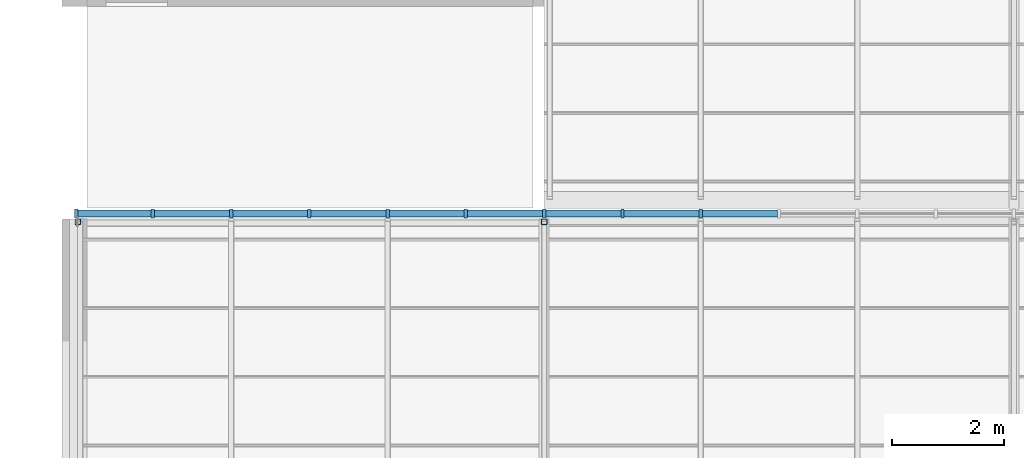
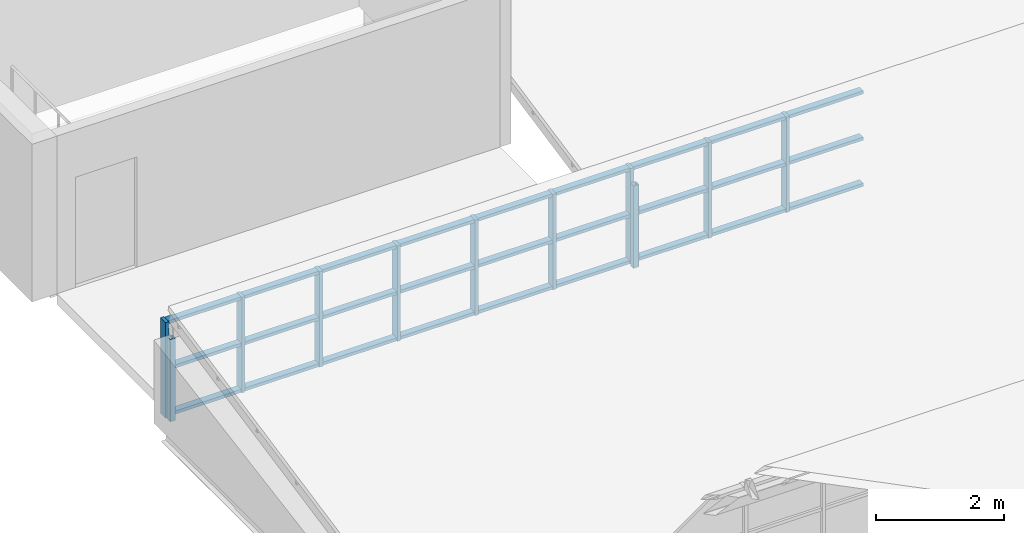
# One storey, part 29 of 121: 38 members, 1 element without a shape of its own.
"""IFC4 building model written with IfcOpenShell, lengths in metres."""

from ifc_helpers import new_model, si_unit, direction, frame, origin, origin_2d, place, context, subcontext, project, spatial, rectangle, hollow_rectangle, extrude, material, layer, layer_set, material_profile, profile_set, type_object, element, aggregate, save


model = new_model("IFC4")

# Units and contexts
model_context = context("Model", 3, precision=1e-05, world=origin(), true_north=direction((0.0, 1.0)))
body_context = subcontext(model_context, "Body", "Model", "MODEL_VIEW")
ifc_project = project(units=[si_unit("LENGTHUNIT", "METRE"), si_unit("AREAUNIT", "SQUARE_METRE"), si_unit("VOLUMEUNIT", "CUBIC_METRE"), si_unit("PLANEANGLEUNIT", "RADIAN"), si_unit("MASSUNIT", "GRAM", prefix="KILO")], contexts=[model_context])

# Site, building, storey
site_placement = place(None, origin())
site = spatial("IfcSite", under=ifc_project, at=site_placement, CompositionType="ELEMENT")
building_placement = place(site_placement, origin())
building = spatial("IfcBuilding", under=site, at=building_placement, Name="Ardhachandra Cancer Care Centre", CompositionType="ELEMENT")
storey_placement = place(building_placement, frame((0.0, 0.0, 9.0)))
storey = spatial("IfcBuildingStorey", under=building, at=storey_placement, Name="L02", CompositionType="ELEMENT", Elevation=9.0)

# Curtain wall, members
ifc_material_1 = material(Name="Aluminium extrusion", Category="aluminium")
ifc_layer = layer(ifc_material_1, 0.14990234375)
ifc_layer_set = layer_set([ifc_layer], Name="Aluminium extrusion")
curtain_wall_type = type_object("IfcCurtainWallType", Name="Curtain wall run", PredefinedType="NOTDEFINED", material=ifc_layer_set)
curtain_wall_placement = place(storey_placement, origin())
curtain_wall = element("IfcCurtainWall", 1, at=curtain_wall_placement, inside=storey, type_object=curtain_wall_type, Name="Curtain wall L02 n/0010800_0063100", PredefinedType="NOTDEFINED")
ifc_material_2 = material(Name="Aluminium extrusion", Category="aluminium")
ifc_material_profile_1 = material_profile(ifc_material_2, rectangle(XDim=0.159912109375, YDim=0.06005859375, at=origin_2d()), Name="Curtain wall mullion 60 x 160")
ifc_profile_set_1 = profile_set([ifc_material_profile_1], Name="Aluminium extrusion")
member_type_1 = type_object("IfcMemberType", Name="Curtain wall mullion 60 x 160", PredefinedType="MULLION", material=ifc_profile_set_1)
member_1_placement = place(storey_placement, frame((10.830078125, 63.10009765625, 0.0), z_axis=(0.0, 0.0, 1.0), x_axis=(0.0, 1.0, 0.0)))
member_1 = element("IfcMember", 2, at=member_1_placement, type_object=member_type_1, Name="CW mullion 1", PredefinedType="MULLION", context=body_context, shape_type="SweptSolid", body=[
    extrude(rectangle(XDim=0.159912109375, YDim=0.06005859375, at=origin_2d()), origin(), (0.0, 0.0, 1.0), 1.820068359375),
])
member_2_placement = place(storey_placement, frame((12.199951171875, 63.10009765625, 0.0), z_axis=(0.0, 0.0, 1.0), x_axis=(0.0, 1.0, 0.0)))
member_2 = element("IfcMember", 3, at=member_2_placement, type_object=member_type_1, Name="CW mullion 2", PredefinedType="MULLION", context=body_context, shape_type="SweptSolid", body=[
    extrude(rectangle(XDim=0.159912109375, YDim=0.06005859375, at=origin_2d()), origin(), (0.0, 0.0, 1.0), 1.820068359375),
])
member_3_placement = place(storey_placement, frame((13.60009765625, 63.10009765625, 0.0), z_axis=(0.0, 0.0, 1.0), x_axis=(0.0, 1.0, 0.0)))
member_3 = element("IfcMember", 4, at=member_3_placement, type_object=member_type_1, Name="CW mullion 3", PredefinedType="MULLION", context=body_context, shape_type="SweptSolid", body=[
    extrude(rectangle(XDim=0.159912109375, YDim=0.06005859375, at=origin_2d()), origin(), (0.0, 0.0, 1.0), 1.820068359375),
])
member_4_placement = place(storey_placement, frame((15.0, 63.10009765625, 0.0), z_axis=(0.0, 0.0, 1.0), x_axis=(0.0, 1.0, 0.0)))
member_4 = element("IfcMember", 5, at=member_4_placement, type_object=member_type_1, Name="CW mullion 4", PredefinedType="MULLION", context=body_context, shape_type="SweptSolid", body=[
    extrude(rectangle(XDim=0.159912109375, YDim=0.06005859375, at=origin_2d()), origin(), (0.0, 0.0, 1.0), 1.820068359375),
])
member_5_placement = place(storey_placement, frame((16.39990234375, 63.10009765625, 0.0), z_axis=(0.0, 0.0, 1.0), x_axis=(0.0, 1.0, 0.0)))
member_5 = element("IfcMember", 6, at=member_5_placement, type_object=member_type_1, Name="CW mullion 5", PredefinedType="MULLION", context=body_context, shape_type="SweptSolid", body=[
    extrude(rectangle(XDim=0.159912109375, YDim=0.06005859375, at=origin_2d()), origin(), (0.0, 0.0, 1.0), 1.820068359375),
])
member_6_placement = place(storey_placement, frame((17.800048828125, 63.10009765625, 0.0), z_axis=(0.0, 0.0, 1.0), x_axis=(0.0, 1.0, 0.0)))
member_6 = element("IfcMember", 7, at=member_6_placement, type_object=member_type_1, Name="CW mullion 6", PredefinedType="MULLION", context=body_context, shape_type="SweptSolid", body=[
    extrude(rectangle(XDim=0.159912109375, YDim=0.06005859375, at=origin_2d()), origin(), (0.0, 0.0, 1.0), 1.820068359375),
])
member_7_placement = place(storey_placement, frame((19.199951171875, 63.10009765625, 0.0), z_axis=(0.0, 0.0, 1.0), x_axis=(0.0, 1.0, 0.0)))
member_7 = element("IfcMember", 8, at=member_7_placement, type_object=member_type_1, Name="CW mullion 7", PredefinedType="MULLION", context=body_context, shape_type="SweptSolid", body=[
    extrude(rectangle(XDim=0.159912109375, YDim=0.06005859375, at=origin_2d()), origin(), (0.0, 0.0, 1.0), 1.820068359375),
])
member_8_placement = place(storey_placement, frame((20.60009765625, 63.10009765625, 0.0), z_axis=(0.0, 0.0, 1.0), x_axis=(0.0, 1.0, 0.0)))
member_8 = element("IfcMember", 9, at=member_8_placement, type_object=member_type_1, Name="CW mullion 8", PredefinedType="MULLION", context=body_context, shape_type="SweptSolid", body=[
    extrude(rectangle(XDim=0.159912109375, YDim=0.06005859375, at=origin_2d()), origin(), (0.0, 0.0, 1.0), 1.820068359375),
])
member_9_placement = place(storey_placement, frame((22.0, 63.10009765625, 0.0), z_axis=(0.0, 0.0, 1.0), x_axis=(0.0, 1.0, 0.0)))
member_9 = element("IfcMember", 10, at=member_9_placement, type_object=member_type_1, Name="CW mullion 9", PredefinedType="MULLION", context=body_context, shape_type="SweptSolid", body=[
    extrude(rectangle(XDim=0.159912109375, YDim=0.06005859375, at=origin_2d()), origin(), (0.0, 0.0, 1.0), 1.820068359375),
])
ifc_material_3 = material(Name="Aluminium extrusion", Category="aluminium")
ifc_material_profile_2 = material_profile(ifc_material_3, rectangle(XDim=0.1201171875, YDim=0.06005859375, at=origin_2d()), Name="Curtain wall transom 60 x 120")
ifc_profile_set_2 = profile_set([ifc_material_profile_2], Name="Aluminium extrusion")
member_type_2 = type_object("IfcMemberType", Name="Curtain wall transom 60 x 120", PredefinedType="USERDEFINED", material=ifc_profile_set_2)
member_10_placement = place(storey_placement, frame((10.860107421875, 63.10009765625, 0.030029296875), z_axis=(1.0, 0.0, 0.0), x_axis=(0.0, 1.0, 0.0)))
member_10 = element("IfcMember", 11, at=member_10_placement, type_object=member_type_2, Name="CW transom 1.1", ObjectType="TRANSOM", PredefinedType="USERDEFINED", context=body_context, shape_type="SweptSolid", body=[
    extrude(rectangle(XDim=0.1201171875, YDim=0.06005859375, at=origin_2d()), origin(), (0.0, 0.0, 1.0), 1.309814453125),
])
member_11_placement = place(storey_placement, frame((10.860107421875, 63.10009765625, 0.909912109375), z_axis=(1.0, 0.0, 0.0), x_axis=(0.0, 1.0, 0.0)))
member_11 = element("IfcMember", 12, at=member_11_placement, type_object=member_type_2, Name="CW transom 1.2", ObjectType="TRANSOM", PredefinedType="USERDEFINED", context=body_context, shape_type="SweptSolid", body=[
    extrude(rectangle(XDim=0.1201171875, YDim=0.06005859375, at=origin_2d()), origin(), (0.0, 0.0, 1.0), 1.309814453125),
])
member_12_placement = place(storey_placement, frame((10.860107421875, 63.10009765625, 1.7900390625), z_axis=(1.0, 0.0, 0.0), x_axis=(0.0, 1.0, 0.0)))
member_12 = element("IfcMember", 13, at=member_12_placement, type_object=member_type_2, Name="CW transom 1.3", ObjectType="TRANSOM", PredefinedType="USERDEFINED", context=body_context, shape_type="SweptSolid", body=[
    extrude(rectangle(XDim=0.1201171875, YDim=0.06005859375, at=origin_2d()), origin(), (0.0, 0.0, 1.0), 1.309814453125),
])
member_13_placement = place(storey_placement, frame((12.22998046875, 63.10009765625, 0.030029296875), z_axis=(1.0, 0.0, 0.0), x_axis=(0.0, 1.0, 0.0)))
member_13 = element("IfcMember", 14, at=member_13_placement, type_object=member_type_2, Name="CW transom 2.1", ObjectType="TRANSOM", PredefinedType="USERDEFINED", context=body_context, shape_type="SweptSolid", body=[
    extrude(rectangle(XDim=0.1201171875, YDim=0.06005859375, at=origin_2d()), origin(), (0.0, 0.0, 1.0), 1.340087890625),
])
member_14_placement = place(storey_placement, frame((12.22998046875, 63.10009765625, 0.909912109375), z_axis=(1.0, 0.0, 0.0), x_axis=(0.0, 1.0, 0.0)))
member_14 = element("IfcMember", 15, at=member_14_placement, type_object=member_type_2, Name="CW transom 2.2", ObjectType="TRANSOM", PredefinedType="USERDEFINED", context=body_context, shape_type="SweptSolid", body=[
    extrude(rectangle(XDim=0.1201171875, YDim=0.06005859375, at=origin_2d()), origin(), (0.0, 0.0, 1.0), 1.340087890625),
])
member_15_placement = place(storey_placement, frame((12.22998046875, 63.10009765625, 1.7900390625), z_axis=(1.0, 0.0, 0.0), x_axis=(0.0, 1.0, 0.0)))
member_15 = element("IfcMember", 16, at=member_15_placement, type_object=member_type_2, Name="CW transom 2.3", ObjectType="TRANSOM", PredefinedType="USERDEFINED", context=body_context, shape_type="SweptSolid", body=[
    extrude(rectangle(XDim=0.1201171875, YDim=0.06005859375, at=origin_2d()), origin(), (0.0, 0.0, 1.0), 1.340087890625),
])
member_16_placement = place(storey_placement, frame((13.6298828125, 63.10009765625, 0.030029296875), z_axis=(1.0, 0.0, 0.0), x_axis=(0.0, 1.0, 0.0)))
member_16 = element("IfcMember", 17, at=member_16_placement, type_object=member_type_2, Name="CW transom 3.1", ObjectType="TRANSOM", PredefinedType="USERDEFINED", context=body_context, shape_type="SweptSolid", body=[
    extrude(rectangle(XDim=0.1201171875, YDim=0.06005859375, at=origin_2d()), origin(), (0.0, 0.0, 1.0), 1.340087890625),
])
member_17_placement = place(storey_placement, frame((13.6298828125, 63.10009765625, 0.909912109375), z_axis=(1.0, 0.0, 0.0), x_axis=(0.0, 1.0, 0.0)))
member_17 = element("IfcMember", 18, at=member_17_placement, type_object=member_type_2, Name="CW transom 3.2", ObjectType="TRANSOM", PredefinedType="USERDEFINED", context=body_context, shape_type="SweptSolid", body=[
    extrude(rectangle(XDim=0.1201171875, YDim=0.06005859375, at=origin_2d()), origin(), (0.0, 0.0, 1.0), 1.340087890625),
])
member_18_placement = place(storey_placement, frame((13.6298828125, 63.10009765625, 1.7900390625), z_axis=(1.0, 0.0, 0.0), x_axis=(0.0, 1.0, 0.0)))
member_18 = element("IfcMember", 19, at=member_18_placement, type_object=member_type_2, Name="CW transom 3.3", ObjectType="TRANSOM", PredefinedType="USERDEFINED", context=body_context, shape_type="SweptSolid", body=[
    extrude(rectangle(XDim=0.1201171875, YDim=0.06005859375, at=origin_2d()), origin(), (0.0, 0.0, 1.0), 1.340087890625),
])
member_19_placement = place(storey_placement, frame((15.030029296875, 63.10009765625, 0.030029296875), z_axis=(1.0, 0.0, 0.0), x_axis=(0.0, 1.0, 0.0)))
member_19 = element("IfcMember", 20, at=member_19_placement, type_object=member_type_2, Name="CW transom 4.1", ObjectType="TRANSOM", PredefinedType="USERDEFINED", context=body_context, shape_type="SweptSolid", body=[
    extrude(rectangle(XDim=0.1201171875, YDim=0.06005859375, at=origin_2d()), origin(), (0.0, 0.0, 1.0), 1.340087890625),
])
member_20_placement = place(storey_placement, frame((15.030029296875, 63.10009765625, 0.909912109375), z_axis=(1.0, 0.0, 0.0), x_axis=(0.0, 1.0, 0.0)))
member_20 = element("IfcMember", 21, at=member_20_placement, type_object=member_type_2, Name="CW transom 4.2", ObjectType="TRANSOM", PredefinedType="USERDEFINED", context=body_context, shape_type="SweptSolid", body=[
    extrude(rectangle(XDim=0.1201171875, YDim=0.06005859375, at=origin_2d()), origin(), (0.0, 0.0, 1.0), 1.340087890625),
])
member_21_placement = place(storey_placement, frame((15.030029296875, 63.10009765625, 1.7900390625), z_axis=(1.0, 0.0, 0.0), x_axis=(0.0, 1.0, 0.0)))
member_21 = element("IfcMember", 22, at=member_21_placement, type_object=member_type_2, Name="CW transom 4.3", ObjectType="TRANSOM", PredefinedType="USERDEFINED", context=body_context, shape_type="SweptSolid", body=[
    extrude(rectangle(XDim=0.1201171875, YDim=0.06005859375, at=origin_2d()), origin(), (0.0, 0.0, 1.0), 1.340087890625),
])
member_22_placement = place(storey_placement, frame((16.429931640625, 63.10009765625, 0.030029296875), z_axis=(1.0, 0.0, 0.0), x_axis=(0.0, 1.0, 0.0)))
member_22 = element("IfcMember", 23, at=member_22_placement, type_object=member_type_2, Name="CW transom 5.1", ObjectType="TRANSOM", PredefinedType="USERDEFINED", context=body_context, shape_type="SweptSolid", body=[
    extrude(rectangle(XDim=0.1201171875, YDim=0.06005859375, at=origin_2d()), origin(), (0.0, 0.0, 1.0), 1.340087890625),
])
member_23_placement = place(storey_placement, frame((16.429931640625, 63.10009765625, 0.909912109375), z_axis=(1.0, 0.0, 0.0), x_axis=(0.0, 1.0, 0.0)))
member_23 = element("IfcMember", 24, at=member_23_placement, type_object=member_type_2, Name="CW transom 5.2", ObjectType="TRANSOM", PredefinedType="USERDEFINED", context=body_context, shape_type="SweptSolid", body=[
    extrude(rectangle(XDim=0.1201171875, YDim=0.06005859375, at=origin_2d()), origin(), (0.0, 0.0, 1.0), 1.340087890625),
])
member_24_placement = place(storey_placement, frame((16.429931640625, 63.10009765625, 1.7900390625), z_axis=(1.0, 0.0, 0.0), x_axis=(0.0, 1.0, 0.0)))
member_24 = element("IfcMember", 25, at=member_24_placement, type_object=member_type_2, Name="CW transom 5.3", ObjectType="TRANSOM", PredefinedType="USERDEFINED", context=body_context, shape_type="SweptSolid", body=[
    extrude(rectangle(XDim=0.1201171875, YDim=0.06005859375, at=origin_2d()), origin(), (0.0, 0.0, 1.0), 1.340087890625),
])
member_25_placement = place(storey_placement, frame((17.830078125, 63.10009765625, 0.030029296875), z_axis=(1.0, 0.0, 0.0), x_axis=(0.0, 1.0, 0.0)))
member_25 = element("IfcMember", 26, at=member_25_placement, type_object=member_type_2, Name="CW transom 6.1", ObjectType="TRANSOM", PredefinedType="USERDEFINED", context=body_context, shape_type="SweptSolid", body=[
    extrude(rectangle(XDim=0.1201171875, YDim=0.06005859375, at=origin_2d()), origin(), (0.0, 0.0, 1.0), 1.33984375),
])
member_26_placement = place(storey_placement, frame((17.830078125, 63.10009765625, 0.909912109375), z_axis=(1.0, 0.0, 0.0), x_axis=(0.0, 1.0, 0.0)))
member_26 = element("IfcMember", 27, at=member_26_placement, type_object=member_type_2, Name="CW transom 6.2", ObjectType="TRANSOM", PredefinedType="USERDEFINED", context=body_context, shape_type="SweptSolid", body=[
    extrude(rectangle(XDim=0.1201171875, YDim=0.06005859375, at=origin_2d()), origin(), (0.0, 0.0, 1.0), 1.33984375),
])
member_27_placement = place(storey_placement, frame((17.830078125, 63.10009765625, 1.7900390625), z_axis=(1.0, 0.0, 0.0), x_axis=(0.0, 1.0, 0.0)))
member_27 = element("IfcMember", 28, at=member_27_placement, type_object=member_type_2, Name="CW transom 6.3", ObjectType="TRANSOM", PredefinedType="USERDEFINED", context=body_context, shape_type="SweptSolid", body=[
    extrude(rectangle(XDim=0.1201171875, YDim=0.06005859375, at=origin_2d()), origin(), (0.0, 0.0, 1.0), 1.33984375),
])
member_28_placement = place(storey_placement, frame((19.22998046875, 63.10009765625, 0.030029296875), z_axis=(1.0, 0.0, 0.0), x_axis=(0.0, 1.0, 0.0)))
member_28 = element("IfcMember", 29, at=member_28_placement, type_object=member_type_2, Name="CW transom 7.1", ObjectType="TRANSOM", PredefinedType="USERDEFINED", context=body_context, shape_type="SweptSolid", body=[
    extrude(rectangle(XDim=0.1201171875, YDim=0.06005859375, at=origin_2d()), origin(), (0.0, 0.0, 1.0), 1.340087890625),
])
member_29_placement = place(storey_placement, frame((19.22998046875, 63.10009765625, 0.909912109375), z_axis=(1.0, 0.0, 0.0), x_axis=(0.0, 1.0, 0.0)))
member_29 = element("IfcMember", 30, at=member_29_placement, type_object=member_type_2, Name="CW transom 7.2", ObjectType="TRANSOM", PredefinedType="USERDEFINED", context=body_context, shape_type="SweptSolid", body=[
    extrude(rectangle(XDim=0.1201171875, YDim=0.06005859375, at=origin_2d()), origin(), (0.0, 0.0, 1.0), 1.340087890625),
])
member_30_placement = place(storey_placement, frame((19.22998046875, 63.10009765625, 1.7900390625), z_axis=(1.0, 0.0, 0.0), x_axis=(0.0, 1.0, 0.0)))
member_30 = element("IfcMember", 31, at=member_30_placement, type_object=member_type_2, Name="CW transom 7.3", ObjectType="TRANSOM", PredefinedType="USERDEFINED", context=body_context, shape_type="SweptSolid", body=[
    extrude(rectangle(XDim=0.1201171875, YDim=0.06005859375, at=origin_2d()), origin(), (0.0, 0.0, 1.0), 1.340087890625),
])
member_31_placement = place(storey_placement, frame((20.6298828125, 63.10009765625, 0.030029296875), z_axis=(1.0, 0.0, 0.0), x_axis=(0.0, 1.0, 0.0)))
member_31 = element("IfcMember", 32, at=member_31_placement, type_object=member_type_2, Name="CW transom 8.1", ObjectType="TRANSOM", PredefinedType="USERDEFINED", context=body_context, shape_type="SweptSolid", body=[
    extrude(rectangle(XDim=0.1201171875, YDim=0.06005859375, at=origin_2d()), origin(), (0.0, 0.0, 1.0), 1.340087890625),
])
member_32_placement = place(storey_placement, frame((20.6298828125, 63.10009765625, 0.909912109375), z_axis=(1.0, 0.0, 0.0), x_axis=(0.0, 1.0, 0.0)))
member_32 = element("IfcMember", 33, at=member_32_placement, type_object=member_type_2, Name="CW transom 8.2", ObjectType="TRANSOM", PredefinedType="USERDEFINED", context=body_context, shape_type="SweptSolid", body=[
    extrude(rectangle(XDim=0.1201171875, YDim=0.06005859375, at=origin_2d()), origin(), (0.0, 0.0, 1.0), 1.340087890625),
])
member_33_placement = place(storey_placement, frame((20.6298828125, 63.10009765625, 1.7900390625), z_axis=(1.0, 0.0, 0.0), x_axis=(0.0, 1.0, 0.0)))
member_33 = element("IfcMember", 34, at=member_33_placement, type_object=member_type_2, Name="CW transom 8.3", ObjectType="TRANSOM", PredefinedType="USERDEFINED", context=body_context, shape_type="SweptSolid", body=[
    extrude(rectangle(XDim=0.1201171875, YDim=0.06005859375, at=origin_2d()), origin(), (0.0, 0.0, 1.0), 1.340087890625),
])
member_34_placement = place(storey_placement, frame((22.030029296875, 63.10009765625, 0.030029296875), z_axis=(1.0, 0.0, 0.0), x_axis=(0.0, 1.0, 0.0)))
member_34 = element("IfcMember", 35, at=member_34_placement, type_object=member_type_2, Name="CW transom 9.1", ObjectType="TRANSOM", PredefinedType="USERDEFINED", context=body_context, shape_type="SweptSolid", body=[
    extrude(rectangle(XDim=0.1201171875, YDim=0.06005859375, at=origin_2d()), origin(), (0.0, 0.0, 1.0), 1.340087890625),
])
member_35_placement = place(storey_placement, frame((22.030029296875, 63.10009765625, 0.909912109375), z_axis=(1.0, 0.0, 0.0), x_axis=(0.0, 1.0, 0.0)))
member_35 = element("IfcMember", 36, at=member_35_placement, type_object=member_type_2, Name="CW transom 9.2", ObjectType="TRANSOM", PredefinedType="USERDEFINED", context=body_context, shape_type="SweptSolid", body=[
    extrude(rectangle(XDim=0.1201171875, YDim=0.06005859375, at=origin_2d()), origin(), (0.0, 0.0, 1.0), 1.340087890625),
])
member_36_placement = place(storey_placement, frame((22.030029296875, 63.10009765625, 1.7900390625), z_axis=(1.0, 0.0, 0.0), x_axis=(0.0, 1.0, 0.0)))
member_36 = element("IfcMember", 37, at=member_36_placement, type_object=member_type_2, Name="CW transom 9.3", ObjectType="TRANSOM", PredefinedType="USERDEFINED", context=body_context, shape_type="SweptSolid", body=[
    extrude(rectangle(XDim=0.1201171875, YDim=0.06005859375, at=origin_2d()), origin(), (0.0, 0.0, 1.0), 1.340087890625),
])
aggregate(curtain_wall, [member_1, member_2, member_3, member_4, member_5, member_6, member_7, member_8, member_9, member_10, member_11, member_12, member_13, member_14, member_15, member_16, member_17, member_18, member_19, member_20, member_21, member_22, member_23, member_24, member_25, member_26, member_27, member_28, member_29, member_30, member_31, member_32, member_33, member_34, member_35, member_36])

# Members
ifc_material_4 = material(Name="Steel E350 (IS 2062)", Category="steel")
ifc_material_profile_3 = material_profile(ifc_material_4, hollow_rectangle(XDim=0.10009765625, YDim=0.10009765625, WallThickness=0.0048828125, InnerFilletRadius=0.0048828125, OuterFilletRadius=0.010009765625, at=origin_2d()), Name="SHS 100x100x5.0")
ifc_profile_set_3 = profile_set([ifc_material_profile_3], Name="Steel E350 (IS 2062)")
member_type_3 = type_object("IfcMemberType", Name="Sawtooth ridge post SHS 100x100x5.0", PredefinedType="POST", material=ifc_profile_set_3)
for number, where, z_axis, x_axis, name in (
    (38, (10.860107421875, 62.949951171875, 0.0), (0.0, 0.0, 1.0), (1.0, 0.0, 0.0), "Ridge post T4a.1"),
    (39, (19.199951171875, 62.949951171875, 0.0), (0.0, 0.0, 1.0), (1.0, 0.0, 0.0), "Ridge post T4a.2"),
):
    element("IfcMember", number, at=place(storey_placement, frame(where, z_axis=z_axis, x_axis=x_axis)), inside=storey, type_object=member_type_3, Name=name, PredefinedType="POST", context=body_context, shape_type="SweptSolid", body=[
        extrude(hollow_rectangle(XDim=0.10009765625, YDim=0.10009765625, WallThickness=0.0048828125, InnerFilletRadius=0.0048828125, OuterFilletRadius=0.010009765625, at=origin_2d()), origin(), (0.0, 0.0, 1.0), 1.5673828125),
    ])

save(model, "model.ifc")
